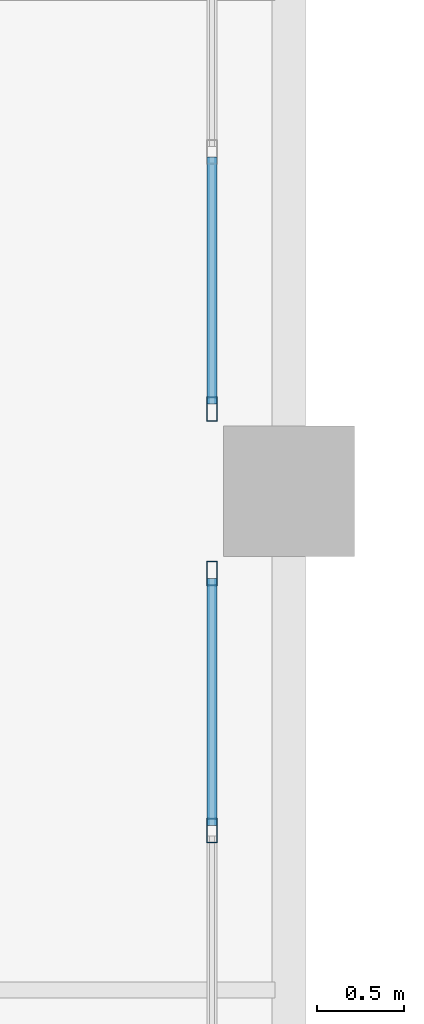
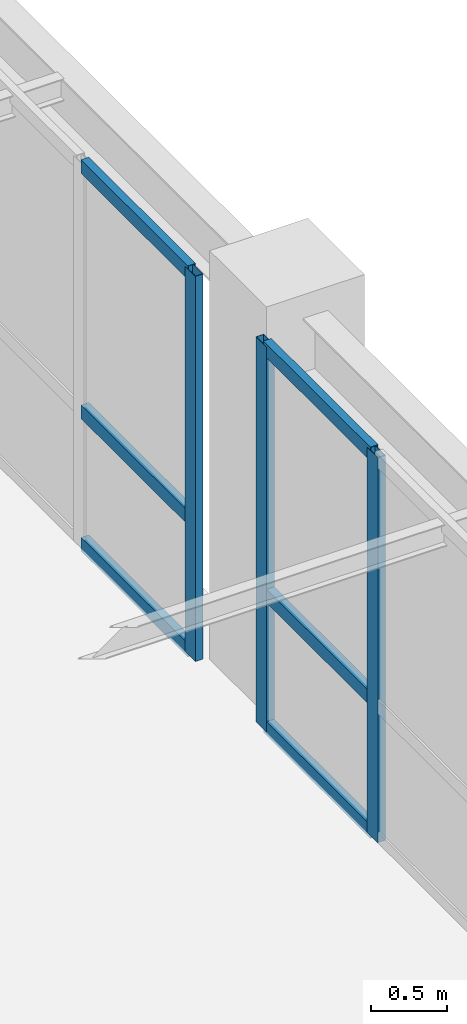
# One storey, part 63 of 200: 9 members, 2 elements without a shape of their own.
"""IFC4 building model written with IfcOpenShell, lengths in metres."""

from ifc_helpers import new_model, si_unit, direction, frame, origin, origin_2d, place, context, subcontext, project, spatial, hollow_rectangle, extrude, material, layer, layer_set, material_profile, profile_set, type_object, element, aggregate, save


model = new_model("IFC4")

# Units and contexts
model_context = context("Model", 3, precision=1e-05, world=origin(), true_north=direction((0.0, 1.0)))
body_context = subcontext(model_context, "Body", "Model", "MODEL_VIEW")
ifc_project = project(units=[si_unit("LENGTHUNIT", "METRE"), si_unit("AREAUNIT", "SQUARE_METRE"), si_unit("VOLUMEUNIT", "CUBIC_METRE"), si_unit("PLANEANGLEUNIT", "RADIAN"), si_unit("MASSUNIT", "GRAM", prefix="KILO")], contexts=[model_context])

# Site, building, storey
site_placement = place(None, origin())
site = spatial("IfcSite", under=ifc_project, at=site_placement, CompositionType="ELEMENT")
building_placement = place(site_placement, origin())
building = spatial("IfcBuilding", under=site, at=building_placement, Name="Trelvath General Hospital", CompositionType="ELEMENT")
storey_placement = place(building_placement, frame((0.0, 0.0, 4.800048828125)))
storey = spatial("IfcBuildingStorey", under=building, at=storey_placement, Name="L01", CompositionType="ELEMENT", Elevation=4.800048828125)

# Curtain wall, members
ifc_material_1 = material(Name="Anodised aluminium and low-E glass", Category="aluminium")
ifc_layer = layer(ifc_material_1, 0.139892578125)
ifc_layer_set = layer_set([ifc_layer], Name="Anodised aluminium and low-E glass")
curtain_wall_type = type_object("IfcCurtainWallType", Name="CW Bridge 752 311", PredefinedType="USERDEFINED", material=ifc_layer_set)
curtain_wall_1_placement = place(storey_placement, origin())
curtain_wall_1 = element("IfcCurtainWall", 1, at=curtain_wall_1_placement, inside=storey, type_object=curtain_wall_type, Name="Glazed Bridge Curtain Wall BRG-S-C E L01", ObjectType="Unitised Glazed Curtain Wall", PredefinedType="USERDEFINED")
ifc_material_2 = material(Name="Anodised aluminium", Category="aluminium")
ifc_material_profile_1 = material_profile(ifc_material_2, hollow_rectangle(XDim=0.06005859375, YDim=0.139892578125, WallThickness=0.00390625, at=origin_2d()), Name="RHS60x140x4")
ifc_profile_set_1 = profile_set([ifc_material_profile_1], Name="Anodised aluminium")
member_type_1 = type_object("IfcMemberType", Name="CurtainMullion 60x140", PredefinedType="MULLION", material=ifc_profile_set_1)
member_1_placement = place(storey_placement, frame((83.56005859375, 33.1298828125, 0.0), z_axis=(0.0, 0.0, 1.0), x_axis=(1.0, 0.0, 0.0)))
member_1 = element("IfcMember", 2, at=member_1_placement, type_object=member_type_1, Name="CW-179 mullion 1", PredefinedType="MULLION", context=body_context, shape_type="SweptSolid", body=[
    extrude(hollow_rectangle(XDim=0.06005859375, YDim=0.139892578125, WallThickness=0.00390625, at=origin_2d()), origin(), (0.0, 0.0, 1.0), 3.10986328125),
])
member_2_placement = place(storey_placement, frame((83.56005859375, 31.656005859375, 0.0), z_axis=(0.0, 0.0, 1.0), x_axis=(1.0, 0.0, 0.0)))
member_2 = element("IfcMember", 3, at=member_2_placement, type_object=member_type_1, Name="CW-179 mullion 2", PredefinedType="MULLION", context=body_context, shape_type="SweptSolid", body=[
    extrude(hollow_rectangle(XDim=0.06005859375, YDim=0.139892578125, WallThickness=0.00390625, at=origin_2d()), origin(), (0.0, 0.0, 1.0), 3.10986328125),
])

# Curtain wall, member
curtain_wall_2_placement = place(storey_placement, origin())
curtain_wall_2 = element("IfcCurtainWall", 4, at=curtain_wall_2_placement, inside=storey, type_object=curtain_wall_type, Name="Glazed Bridge Curtain Wall BRG-S-C E L01", ObjectType="Unitised Glazed Curtain Wall", PredefinedType="USERDEFINED")
member_3_placement = place(storey_placement, frame((83.56005859375, 34.070068359375, 0.0), z_axis=(0.0, 0.0, 1.0), x_axis=(1.0, 0.0, 0.0)))
member_3 = element("IfcMember", 5, at=member_3_placement, type_object=member_type_1, Name="CW-181 mullion 6", PredefinedType="MULLION", context=body_context, shape_type="SweptSolid", body=[
    extrude(hollow_rectangle(XDim=0.06005859375, YDim=0.139892578125, WallThickness=0.00390625, at=origin_2d()), origin(), (0.0, 0.0, 1.0), 3.10986328125),
])

# Member
ifc_material_3 = material(Name="Anodised aluminium", Category="aluminium")
ifc_material_profile_2 = material_profile(ifc_material_3, hollow_rectangle(XDim=0.06005859375, YDim=0.110107421875, WallThickness=0.00390625, at=origin_2d()), Name="RHS60x110x4")
ifc_profile_set_2 = profile_set([ifc_material_profile_2], Name="Anodised aluminium")
member_type_2 = type_object("IfcMemberType", Name="CurtainTransom 60x110", PredefinedType="USERDEFINED", material=ifc_profile_set_2)
member_4_placement = place(storey_placement, frame((83.56005859375, 33.10009765625, 0.030029296875), z_axis=(0.0, -1.0, 0.0), x_axis=(1.0, 0.0, 0.0)))
member_4 = element("IfcMember", 6, at=member_4_placement, type_object=member_type_2, Name="CW-179 transom 1.1", ObjectType="TRANSOM", PredefinedType="USERDEFINED", context=body_context, shape_type="SweptSolid", body=[
    extrude(hollow_rectangle(XDim=0.06005859375, YDim=0.110107421875, WallThickness=0.00390625, at=origin_2d()), origin(), (0.0, 0.0, 1.0), 1.4140625),
])

member_5_placement = place(storey_placement, frame((83.56005859375, 33.10009765625, 1.099853515625), z_axis=(0.0, -1.0, 0.0), x_axis=(1.0, 0.0, 0.0)))
member_5 = element("IfcMember", 7, at=member_5_placement, type_object=member_type_2, Name="CW-179 transom 1.2", ObjectType="TRANSOM", PredefinedType="USERDEFINED", context=body_context, shape_type="SweptSolid", body=[
    extrude(hollow_rectangle(XDim=0.06005859375, YDim=0.110107421875, WallThickness=0.00390625, at=origin_2d()), origin(), (0.0, 0.0, 1.0), 1.4140625),
])

member_6_placement = place(storey_placement, frame((83.56005859375, 33.10009765625, 3.079833984375), z_axis=(0.0, -1.0, 0.0), x_axis=(1.0, 0.0, 0.0)))
member_6 = element("IfcMember", 8, at=member_6_placement, type_object=member_type_2, Name="CW-179 transom 1.3", ObjectType="TRANSOM", PredefinedType="USERDEFINED", context=body_context, shape_type="SweptSolid", body=[
    extrude(hollow_rectangle(XDim=0.06005859375, YDim=0.110107421875, WallThickness=0.00390625, at=origin_2d()), origin(), (0.0, 0.0, 1.0), 1.4140625),
])

aggregate(curtain_wall_1, [member_1, member_2, member_4, member_5, member_6])

member_7_placement = place(storey_placement, frame((83.56005859375, 35.513916015625, 0.030029296875), z_axis=(0.0, -1.0, 0.0), x_axis=(1.0, 0.0, 0.0)))
member_7 = element("IfcMember", 9, at=member_7_placement, type_object=member_type_2, Name="CW-181 transom 5.1", ObjectType="TRANSOM", PredefinedType="USERDEFINED", context=body_context, shape_type="SweptSolid", body=[
    extrude(hollow_rectangle(XDim=0.06005859375, YDim=0.110107421875, WallThickness=0.00390625, at=origin_2d()), origin(), (0.0, 0.0, 1.0), 1.413818359375),
])

member_8_placement = place(storey_placement, frame((83.56005859375, 35.513916015625, 1.099853515625), z_axis=(0.0, -1.0, 0.0), x_axis=(1.0, 0.0, 0.0)))
member_8 = element("IfcMember", 10, at=member_8_placement, type_object=member_type_2, Name="CW-181 transom 5.2", ObjectType="TRANSOM", PredefinedType="USERDEFINED", context=body_context, shape_type="SweptSolid", body=[
    extrude(hollow_rectangle(XDim=0.06005859375, YDim=0.110107421875, WallThickness=0.00390625, at=origin_2d()), origin(), (0.0, 0.0, 1.0), 1.413818359375),
])

member_9_placement = place(storey_placement, frame((83.56005859375, 35.513916015625, 3.079833984375), z_axis=(0.0, -1.0, 0.0), x_axis=(1.0, 0.0, 0.0)))
member_9 = element("IfcMember", 11, at=member_9_placement, type_object=member_type_2, Name="CW-181 transom 5.3", ObjectType="TRANSOM", PredefinedType="USERDEFINED", context=body_context, shape_type="SweptSolid", body=[
    extrude(hollow_rectangle(XDim=0.06005859375, YDim=0.110107421875, WallThickness=0.00390625, at=origin_2d()), origin(), (0.0, 0.0, 1.0), 1.413818359375),
])

aggregate(curtain_wall_2, [member_3, member_7, member_8, member_9])

save(model, "model.ifc")
